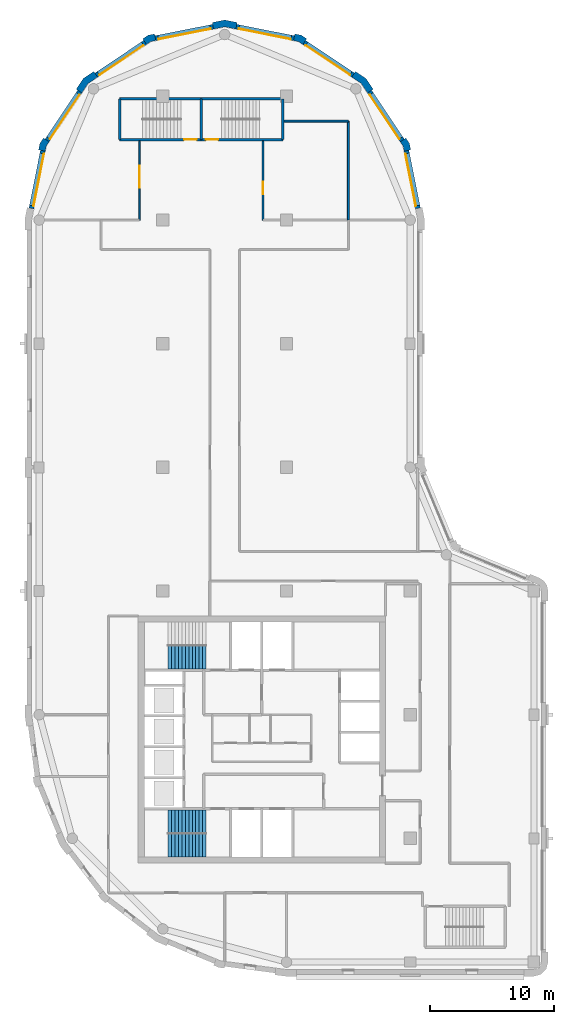
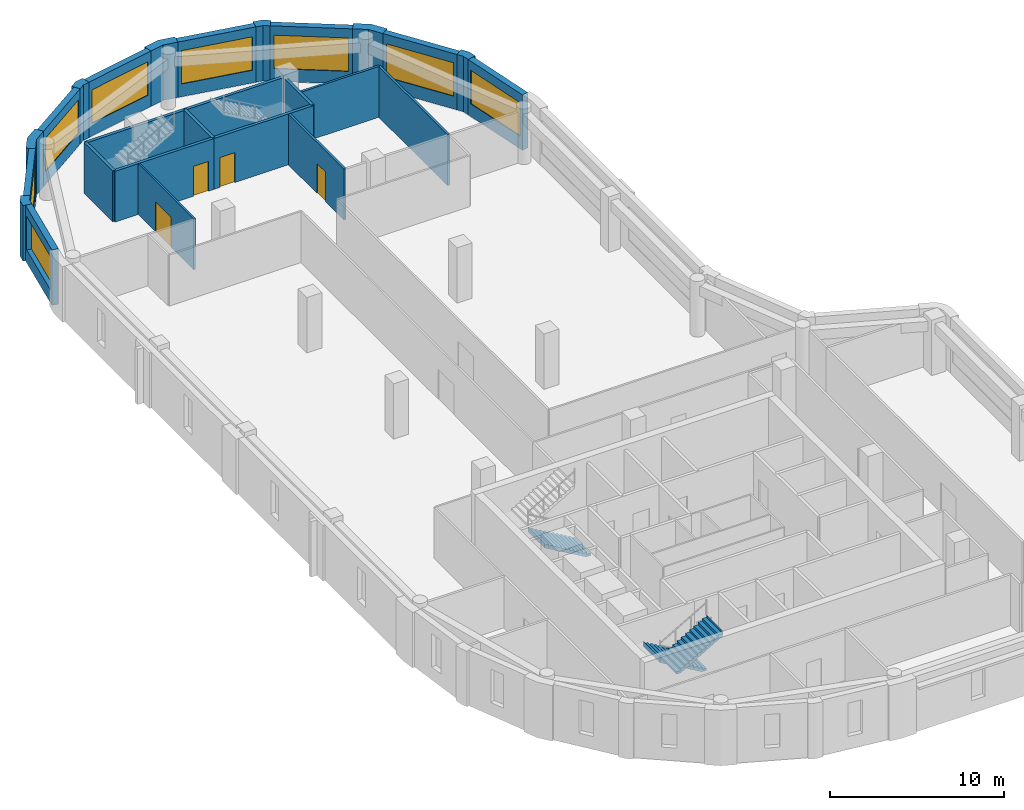
# One storey, part 5 of 8: 26 walls, 8 windows, 4 doors, 3 stair flights, 12 openings, 2 elements without a shape of their own.
"""IFC4 building model written with IfcOpenShell, lengths in metres."""

from ifc_helpers import new_model, si_unit, direction, frame, frame_2d, origin, place, context, subcontext, project, spatial, polyline, rectangle, outline, extrude, material, layer, layer_set, type_object, element, fill, aggregate, save


model = new_model("IFC4")

# Units and contexts
model_context = context("Model", 3, precision=1e-05, world=origin(), true_north=direction((0.0, 1.0)))
body_context = subcontext(model_context, "Body", "Model", "MODEL_VIEW")
ifc_project = project(units=[si_unit("LENGTHUNIT", "METRE"), si_unit("AREAUNIT", "SQUARE_METRE"), si_unit("VOLUMEUNIT", "CUBIC_METRE"), si_unit("PLANEANGLEUNIT", "RADIAN"), si_unit("MASSUNIT", "GRAM", prefix="KILO")], contexts=[model_context])

# Site, building, storey
site_placement = place(None, origin())
site = spatial("IfcSite", under=ifc_project, at=site_placement, CompositionType="ELEMENT")
building_placement = place(site_placement, origin())
building = spatial("IfcBuilding", under=site, at=building_placement, Name="Qaws Garden Tower", CompositionType="ELEMENT")
storey_placement = place(building_placement, frame((0.0, 0.0, 282.60009765625)))
storey = spatial("IfcBuildingStorey", under=building, at=storey_placement, Name="L68", CompositionType="ELEMENT", Elevation=282.60009765625)

# Wall, opening, window
ifc_material_1 = material(Name="Clay facing brick masonry", Category="masonry")
ifc_layer_1 = layer(ifc_material_1, 0.39990234375)
ifc_layer_set_1 = layer_set([ifc_layer_1], Name="Clay facing brick masonry")
wall_type_1 = type_object("IfcWallType", Name="Brick infill wall 400", PredefinedType="SOLIDWALL", material=ifc_layer_set_1)
wall_1_placement = place(storey_placement, frame((30.628662109375, 60.940673828125, 0.0), z_axis=(0.0, 0.0, 1.0), x_axis=(-0.195098533057, 0.98078364709, 0.0)))
wall_1 = element("IfcWall", 1, at=wall_1_placement, inside=storey, type_object=wall_type_1, Name="E-L68-infill-09", PredefinedType="SOLIDWALL", context=body_context, shape_type="SweptSolid", body=[
    extrude(rectangle(XDim=4.752685546875, YDim=0.39990234375, at=frame_2d((2.37646484375, 0.0))), origin(), (0.0, 0.0, 1.0), 3.89990234375),
])
opening_1_placement = place(wall_1_placement, frame((0.226318359375, 0.0, 0.89990234375)))
opening_1 = element("IfcOpeningElement", 2, at=opening_1_placement, cuts=wall_1, Name="Opening W06", PredefinedType="OPENING", context=body_context, shape_type="SweptSolid", body=[
    extrude(rectangle(XDim=4.300048828125, YDim=2.35009765625, at=frame_2d((2.14990234375, 1.175048828125))), frame((0.0, 0.2099609375, 0.0), z_axis=(0.0, -1.0, 0.0), x_axis=(1.0, 0.0, 0.0)), (0.0, 0.0, 1.0), 0.419921875),
])
ifc_material_2 = material(Name="Aluminium framed window, clear glazing", Category="aluminium")
window_type = type_object("IfcWindowType", Name="Ribbon window 4300 x 2350", PartitioningType="DOUBLE_PANEL_VERTICAL", PredefinedType="WINDOW", material=ifc_material_2)
window_1_placement = place(opening_1_placement, origin())
window_1 = element("IfcWindow", 3, at=window_1_placement, inside=storey, type_object=window_type, Name="E-L68-window-09-0", OverallHeight=2.35009765625, OverallWidth=4.300048828125, PartitioningType="SINGLE_PANEL", PredefinedType="WINDOW", context=body_context, shape_type="SweptSolid", body=[
    extrude(rectangle(XDim=4.300048828125, YDim=2.35009765625, at=frame_2d((2.14990234375, 1.175048828125))), frame((0.0, 0.159912109375, 0.0), z_axis=(0.0, -1.0, 0.0), x_axis=(1.0, 0.0, 0.0)), (0.0, 0.0, 1.0), 0.06005859375),
])
fill(opening_1, window_1)

wall_2_placement = place(storey_placement, frame((29.356689453125, 66.43408203125, 0.0), z_axis=(0.0, 0.0, 1.0), x_axis=(-0.555541552266, 0.831488775454, 0.0)))
wall_2 = element("IfcWall", 4, at=wall_2_placement, inside=storey, type_object=wall_type_1, Name="E-L68-infill-10", PredefinedType="SOLIDWALL", context=body_context, shape_type="SweptSolid", body=[
    extrude(rectangle(XDim=4.752685546875, YDim=0.39990234375, at=frame_2d((2.37646484375, 0.0))), origin(), (0.0, 0.0, 1.0), 3.89990234375),
])
opening_2_placement = place(wall_2_placement, frame((0.226318359375, 0.0, 0.89990234375)))
opening_2 = element("IfcOpeningElement", 5, at=opening_2_placement, cuts=wall_2, Name="Opening W06", PredefinedType="OPENING", context=body_context, shape_type="SweptSolid", body=[
    extrude(rectangle(XDim=4.300048828125, YDim=2.35009765625, at=frame_2d((2.14990234375, 1.175048828125))), frame((0.0, 0.2099609375, 0.0), z_axis=(0.0, -1.0, 0.0), x_axis=(1.0, 0.0, 0.0)), (0.0, 0.0, 1.0), 0.419921875),
])
window_2_placement = place(opening_2_placement, origin())
window_2 = element("IfcWindow", 6, at=window_2_placement, inside=storey, type_object=window_type, Name="E-L68-window-10-0", OverallHeight=2.35009765625, OverallWidth=4.300048828125, PartitioningType="SINGLE_PANEL", PredefinedType="WINDOW", context=body_context, shape_type="SweptSolid", body=[
    extrude(rectangle(XDim=4.300048828125, YDim=2.35009765625, at=frame_2d((2.14990234375, 1.175048828125))), frame((0.0, 0.159912109375, 0.0), z_axis=(0.0, -1.0, 0.0), x_axis=(1.0, 0.0, 0.0)), (0.0, 0.0, 1.0), 0.06005859375),
])
fill(opening_2, window_2)

wall_3_placement = place(storey_placement, frame((25.385986328125, 71.71630859375, 0.0), z_axis=(0.0, 0.0, 1.0), x_axis=(-0.831488775454, 0.555541552266, 0.0)))
wall_3 = element("IfcWall", 7, at=wall_3_placement, inside=storey, type_object=wall_type_1, Name="E-L68-infill-11", PredefinedType="SOLIDWALL", context=body_context, shape_type="SweptSolid", body=[
    extrude(rectangle(XDim=4.752685546875, YDim=0.39990234375, at=frame_2d((2.37646484375, 0.0))), origin(), (0.0, 0.0, 1.0), 3.89990234375),
])
opening_3_placement = place(wall_3_placement, frame((0.226318359375, 0.0, 0.89990234375)))
opening_3 = element("IfcOpeningElement", 8, at=opening_3_placement, cuts=wall_3, Name="Opening W06", PredefinedType="OPENING", context=body_context, shape_type="SweptSolid", body=[
    extrude(rectangle(XDim=4.300048828125, YDim=2.35009765625, at=frame_2d((2.14990234375, 1.175048828125))), frame((0.0, 0.2099609375, 0.0), z_axis=(0.0, -1.0, 0.0), x_axis=(1.0, 0.0, 0.0)), (0.0, 0.0, 1.0), 0.419921875),
])
window_3_placement = place(opening_3_placement, origin())
window_3 = element("IfcWindow", 9, at=window_3_placement, inside=storey, type_object=window_type, Name="E-L68-window-11-0", OverallHeight=2.35009765625, OverallWidth=4.300048828125, PartitioningType="SINGLE_PANEL", PredefinedType="WINDOW", context=body_context, shape_type="SweptSolid", body=[
    extrude(rectangle(XDim=4.300048828125, YDim=2.35009765625, at=frame_2d((2.14990234375, 1.175048828125))), frame((0.0, 0.159912109375, 0.0), z_axis=(0.0, -1.0, 0.0), x_axis=(1.0, 0.0, 0.0)), (0.0, 0.0, 1.0), 0.06005859375),
])
fill(opening_3, window_3)

wall_4_placement = place(storey_placement, frame((20.60205078125, 74.701416015625, 0.0), z_axis=(0.0, 0.0, 1.0), x_axis=(-0.98078364709, 0.195098533057, 0.0)))
wall_4 = element("IfcWall", 10, at=wall_4_placement, inside=storey, type_object=wall_type_1, Name="E-L68-infill-12", PredefinedType="SOLIDWALL", context=body_context, shape_type="SweptSolid", body=[
    extrude(rectangle(XDim=4.752685546875, YDim=0.39990234375, at=frame_2d((2.37646484375, 0.0))), origin(), (0.0, 0.0, 1.0), 3.89990234375),
])
opening_4_placement = place(wall_4_placement, frame((0.226318359375, 0.0, 0.89990234375)))
opening_4 = element("IfcOpeningElement", 11, at=opening_4_placement, cuts=wall_4, Name="Opening W06", PredefinedType="OPENING", context=body_context, shape_type="SweptSolid", body=[
    extrude(rectangle(XDim=4.300048828125, YDim=2.35009765625, at=frame_2d((2.14990234375, 1.175048828125))), frame((0.0, 0.2099609375, 0.0), z_axis=(0.0, -1.0, 0.0), x_axis=(1.0, 0.0, 0.0)), (0.0, 0.0, 1.0), 0.419921875),
])
window_4_placement = place(opening_4_placement, origin())
window_4 = element("IfcWindow", 12, at=window_4_placement, inside=storey, type_object=window_type, Name="E-L68-window-12-0", OverallHeight=2.35009765625, OverallWidth=4.300048828125, PartitioningType="SINGLE_PANEL", PredefinedType="WINDOW", context=body_context, shape_type="SweptSolid", body=[
    extrude(rectangle(XDim=4.300048828125, YDim=2.35009765625, at=frame_2d((2.14990234375, 1.175048828125))), frame((0.0, 0.159912109375, 0.0), z_axis=(0.0, -1.0, 0.0), x_axis=(1.0, 0.0, 0.0)), (0.0, 0.0, 1.0), 0.06005859375),
])
fill(opening_4, window_4)

wall_5_placement = place(storey_placement, frame((14.059326171875, 75.628662109375, 0.0), z_axis=(0.0, 0.0, 1.0), x_axis=(-0.98078364709, -0.195098533057, 0.0)))
wall_5 = element("IfcWall", 13, at=wall_5_placement, inside=storey, type_object=wall_type_1, Name="E-L68-infill-13", PredefinedType="SOLIDWALL", context=body_context, shape_type="SweptSolid", body=[
    extrude(rectangle(XDim=4.752685546875, YDim=0.39990234375, at=frame_2d((2.37646484375, 0.0))), origin(), (0.0, 0.0, 1.0), 3.89990234375),
])
opening_5_placement = place(wall_5_placement, frame((0.226318359375, 0.0, 0.89990234375)))
opening_5 = element("IfcOpeningElement", 14, at=opening_5_placement, cuts=wall_5, Name="Opening W06", PredefinedType="OPENING", context=body_context, shape_type="SweptSolid", body=[
    extrude(rectangle(XDim=4.300048828125, YDim=2.35009765625, at=frame_2d((2.14990234375, 1.175048828125))), frame((0.0, 0.2099609375, 0.0), z_axis=(0.0, -1.0, 0.0), x_axis=(1.0, 0.0, 0.0)), (0.0, 0.0, 1.0), 0.419921875),
])
window_5_placement = place(opening_5_placement, origin())
window_5 = element("IfcWindow", 15, at=window_5_placement, inside=storey, type_object=window_type, Name="E-L68-window-13-0", OverallHeight=2.35009765625, OverallWidth=4.300048828125, PartitioningType="SINGLE_PANEL", PredefinedType="WINDOW", context=body_context, shape_type="SweptSolid", body=[
    extrude(rectangle(XDim=4.300048828125, YDim=2.35009765625, at=frame_2d((2.14990234375, 1.175048828125))), frame((0.0, 0.159912109375, 0.0), z_axis=(0.0, -1.0, 0.0), x_axis=(1.0, 0.0, 0.0)), (0.0, 0.0, 1.0), 0.06005859375),
])
fill(opening_5, window_5)

wall_6_placement = place(storey_placement, frame((8.56591796875, 74.356689453125, 0.0), z_axis=(0.0, 0.0, 1.0), x_axis=(-0.831488775454, -0.555541552266, 0.0)))
wall_6 = element("IfcWall", 16, at=wall_6_placement, inside=storey, type_object=wall_type_1, Name="E-L68-infill-14", PredefinedType="SOLIDWALL", context=body_context, shape_type="SweptSolid", body=[
    extrude(rectangle(XDim=4.752685546875, YDim=0.39990234375, at=frame_2d((2.37646484375, 0.0))), origin(), (0.0, 0.0, 1.0), 3.89990234375),
])
opening_6_placement = place(wall_6_placement, frame((0.226318359375, 0.0, 0.89990234375)))
opening_6 = element("IfcOpeningElement", 17, at=opening_6_placement, cuts=wall_6, Name="Opening W06", PredefinedType="OPENING", context=body_context, shape_type="SweptSolid", body=[
    extrude(rectangle(XDim=4.300048828125, YDim=2.35009765625, at=frame_2d((2.14990234375, 1.175048828125))), frame((0.0, 0.2099609375, 0.0), z_axis=(0.0, -1.0, 0.0), x_axis=(1.0, 0.0, 0.0)), (0.0, 0.0, 1.0), 0.419921875),
])
window_6_placement = place(opening_6_placement, origin())
window_6 = element("IfcWindow", 18, at=window_6_placement, inside=storey, type_object=window_type, Name="E-L68-window-14-0", OverallHeight=2.35009765625, OverallWidth=4.300048828125, PartitioningType="SINGLE_PANEL", PredefinedType="WINDOW", context=body_context, shape_type="SweptSolid", body=[
    extrude(rectangle(XDim=4.300048828125, YDim=2.35009765625, at=frame_2d((2.14990234375, 1.175048828125))), frame((0.0, 0.159912109375, 0.0), z_axis=(0.0, -1.0, 0.0), x_axis=(1.0, 0.0, 0.0)), (0.0, 0.0, 1.0), 0.06005859375),
])
fill(opening_6, window_6)

wall_7_placement = place(storey_placement, frame((3.28369140625, 70.385986328125, 0.0), z_axis=(0.0, 0.0, 1.0), x_axis=(-0.555541552266, -0.831488775454, 0.0)))
wall_7 = element("IfcWall", 19, at=wall_7_placement, inside=storey, type_object=wall_type_1, Name="E-L68-infill-15", PredefinedType="SOLIDWALL", context=body_context, shape_type="SweptSolid", body=[
    extrude(rectangle(XDim=4.752685546875, YDim=0.39990234375, at=frame_2d((2.37646484375, 0.0))), origin(), (0.0, 0.0, 1.0), 3.89990234375),
])
opening_7_placement = place(wall_7_placement, frame((0.226318359375, 0.0, 0.89990234375)))
opening_7 = element("IfcOpeningElement", 20, at=opening_7_placement, cuts=wall_7, Name="Opening W06", PredefinedType="OPENING", context=body_context, shape_type="SweptSolid", body=[
    extrude(rectangle(XDim=4.300048828125, YDim=2.35009765625, at=frame_2d((2.14990234375, 1.175048828125))), frame((0.0, 0.2099609375, 0.0), z_axis=(0.0, -1.0, 0.0), x_axis=(1.0, 0.0, 0.0)), (0.0, 0.0, 1.0), 0.419921875),
])
window_7_placement = place(opening_7_placement, origin())
window_7 = element("IfcWindow", 21, at=window_7_placement, inside=storey, type_object=window_type, Name="E-L68-window-15-0", OverallHeight=2.35009765625, OverallWidth=4.300048828125, PartitioningType="SINGLE_PANEL", PredefinedType="WINDOW", context=body_context, shape_type="SweptSolid", body=[
    extrude(rectangle(XDim=4.300048828125, YDim=2.35009765625, at=frame_2d((2.14990234375, 1.175048828125))), frame((0.0, 0.159912109375, 0.0), z_axis=(0.0, -1.0, 0.0), x_axis=(1.0, 0.0, 0.0)), (0.0, 0.0, 1.0), 0.06005859375),
])
fill(opening_7, window_7)

wall_8_placement = place(storey_placement, frame((0.298583984375, 65.60205078125, 0.0), z_axis=(0.0, 0.0, 1.0), x_axis=(-0.195098533057, -0.98078364709, 0.0)))
wall_8 = element("IfcWall", 22, at=wall_8_placement, inside=storey, type_object=wall_type_1, Name="E-L68-infill-16", PredefinedType="SOLIDWALL", context=body_context, shape_type="SweptSolid", body=[
    extrude(rectangle(XDim=4.752685546875, YDim=0.39990234375, at=frame_2d((2.37646484375, 0.0))), origin(), (0.0, 0.0, 1.0), 3.89990234375),
])
opening_8_placement = place(wall_8_placement, frame((0.226318359375, 0.0, 0.89990234375)))
opening_8 = element("IfcOpeningElement", 23, at=opening_8_placement, cuts=wall_8, Name="Opening W06", PredefinedType="OPENING", context=body_context, shape_type="SweptSolid", body=[
    extrude(rectangle(XDim=4.300048828125, YDim=2.35009765625, at=frame_2d((2.14990234375, 1.175048828125))), frame((0.0, 0.2099609375, 0.0), z_axis=(0.0, -1.0, 0.0), x_axis=(1.0, 0.0, 0.0)), (0.0, 0.0, 1.0), 0.419921875),
])
window_8_placement = place(opening_8_placement, origin())
window_8 = element("IfcWindow", 24, at=window_8_placement, inside=storey, type_object=window_type, Name="E-L68-window-16-0", OverallHeight=2.35009765625, OverallWidth=4.300048828125, PartitioningType="SINGLE_PANEL", PredefinedType="WINDOW", context=body_context, shape_type="SweptSolid", body=[
    extrude(rectangle(XDim=4.300048828125, YDim=2.35009765625, at=frame_2d((2.14990234375, 1.175048828125))), frame((0.0, 0.159912109375, 0.0), z_axis=(0.0, -1.0, 0.0), x_axis=(1.0, 0.0, 0.0)), (0.0, 0.0, 1.0), 0.06005859375),
])
fill(opening_8, window_8)

# Walls
ifc_material_3 = material(Name="Clay facing brick masonry", Category="masonry")
ifc_layer_2 = layer(ifc_material_3, 0.550048828125)
ifc_layer_set_2 = layer_set([ifc_layer_2], Name="Clay facing brick masonry")
wall_type_2 = type_object("IfcWallType", Name="Brick kink pier 550 x 600", PredefinedType="SOLIDWALL", material=ifc_layer_set_2)
placement = place(storey_placement, origin())
element("IfcWall", 25, at=placement, inside=storey, type_object=wall_type_2, Name="E-L68-pier-10", PredefinedType="SOLIDWALL", context=body_context, shape_type="SweptSolid", body=[
    extrude(outline(polyline([(29.8974609375, 65.64111328125), (30.044677734375, 65.67041015625), (29.94140625, 66.18896484375), (29.647705078125, 66.628662109375), (29.52294921875, 66.545166015625), (29.1904296875, 66.322998046875), (29.42333984375, 65.974365234375), (29.505126953125, 65.56298828125), (29.8974609375, 65.64111328125)])), origin(), (0.0, 0.0, 1.0), 3.89990234375),
])
element("IfcWall", 26, at=placement, inside=storey, type_object=wall_type_2, Name="E-L68-pier-12", PredefinedType="SOLIDWALL", context=body_context, shape_type="SweptSolid", body=[
    extrude(outline(polyline([(21.545166015625, 74.52294921875), (21.628662109375, 74.647705078125), (21.18896484375, 74.94140625), (20.67041015625, 75.044677734375), (20.64111328125, 74.8974609375), (20.56298828125, 74.505126953125), (20.974365234375, 74.42333984375), (21.322998046875, 74.1904296875), (21.545166015625, 74.52294921875)])), origin(), (0.0, 0.0, 1.0), 3.89990234375),
])
element("IfcWall", 27, at=placement, inside=storey, type_object=wall_type_2, Name="E-L68-pier-14", PredefinedType="SOLIDWALL", context=body_context, shape_type="SweptSolid", body=[
    extrude(outline(polyline([(9.35888671875, 74.8974609375), (9.32958984375, 75.044677734375), (8.81103515625, 74.94140625), (8.371337890625, 74.647705078125), (8.454833984375, 74.52294921875), (8.677001953125, 74.1904296875), (9.025634765625, 74.42333984375), (9.43701171875, 74.505126953125), (9.35888671875, 74.8974609375)])), origin(), (0.0, 0.0, 1.0), 3.89990234375),
])
element("IfcWall", 28, at=placement, inside=storey, type_object=wall_type_2, Name="E-L68-pier-16", PredefinedType="SOLIDWALL", context=body_context, shape_type="SweptSolid", body=[
    extrude(outline(polyline([(0.47705078125, 66.545166015625), (0.352294921875, 66.628662109375), (0.05859375, 66.18896484375), (-0.044677734375, 65.67041015625), (0.1025390625, 65.64111328125), (0.494873046875, 65.56298828125), (0.57666015625, 65.974365234375), (0.8095703125, 66.322998046875), (0.47705078125, 66.545166015625)])), origin(), (0.0, 0.0, 1.0), 3.89990234375),
])
ifc_material_4 = material(Name="Clay facing brick masonry", Category="masonry")
ifc_layer_3 = layer(ifc_material_4, 0.550048828125)
ifc_layer_set_3 = layer_set([ifc_layer_3], Name="Clay facing brick masonry")
wall_type_3 = type_object("IfcWallType", Name="Brick pier 550 x 1600", PredefinedType="SOLIDWALL", material=ifc_layer_set_3)
element("IfcWall", 29, at=placement, inside=storey, type_object=wall_type_3, Name="E-L68-pier-11", PredefinedType="SOLIDWALL", context=body_context, shape_type="SweptSolid", body=[
    extrude(outline(polyline([(26.882568359375, 70.4970703125), (27.00732421875, 70.580322265625), (26.435791015625, 71.435791015625), (25.580322265625, 72.00732421875), (25.4970703125, 71.882568359375), (25.274658203125, 71.550048828125), (26.0390625, 71.0390625), (26.550048828125, 70.274658203125), (26.882568359375, 70.4970703125)])), origin(), (0.0, 0.0, 1.0), 3.89990234375),
])
element("IfcWall", 30, at=placement, inside=storey, type_object=wall_type_3, Name="E-L68-pier-13", PredefinedType="SOLIDWALL", context=body_context, shape_type="SweptSolid", body=[
    extrude(outline(polyline([(15.979736328125, 75.82470703125), (16.009033203125, 75.971923828125), (15.0, 76.172607421875), (13.990966796875, 75.971923828125), (14.020263671875, 75.82470703125), (14.098388671875, 75.432373046875), (15.0, 75.61181640625), (15.901611328125, 75.432373046875), (15.979736328125, 75.82470703125)])), origin(), (0.0, 0.0, 1.0), 3.89990234375),
])
element("IfcWall", 31, at=placement, inside=storey, type_object=wall_type_3, Name="E-L68-pier-15", PredefinedType="SOLIDWALL", context=body_context, shape_type="SweptSolid", body=[
    extrude(outline(polyline([(4.5029296875, 71.882568359375), (4.419677734375, 72.00732421875), (3.564208984375, 71.435791015625), (2.99267578125, 70.580322265625), (3.117431640625, 70.4970703125), (3.449951171875, 70.274658203125), (3.9609375, 71.0390625), (4.725341796875, 71.550048828125), (4.5029296875, 71.882568359375)])), origin(), (0.0, 0.0, 1.0), 3.89990234375),
])

# Wall, opening, door
ifc_material_5 = material(Name="Concrete C60", Category="concrete")
ifc_layer_4 = layer(ifc_material_5, 0.199951171875)
ifc_layer_set_4 = layer_set([ifc_layer_4], Name="Concrete C60")
wall_type_4 = type_object("IfcWallType", Name="Core shaft wall 200 C60", PredefinedType="SHEAR", material=ifc_layer_set_4)
wall_16_placement = place(storey_placement, frame((6.5, 66.5, 0.0), z_axis=(0.0, 0.0, 1.0), x_axis=(1.0, 0.0, 0.0)))
wall_16 = element("IfcWall", 32, at=wall_16_placement, inside=storey, type_object=wall_type_4, Name="Shaft wall", PredefinedType="SHEAR", context=body_context, shape_type="SweptSolid", body=[
    extrude(rectangle(XDim=6.60009765625, YDim=0.199951171875, at=frame_2d((3.300048828125, 0.0))), origin(), (0.0, 0.0, 1.0), 3.579833984375),
])
opening_9_placement = place(wall_16_placement, frame((5.22509765625, 0.0, 0.0)))
opening_9 = element("IfcOpeningElement", 33, at=opening_9_placement, cuts=wall_16, Name="Opening SD13", PredefinedType="OPENING", context=body_context, shape_type="SweptSolid", body=[
    extrude(rectangle(XDim=1.0, YDim=2.10009765625, at=frame_2d((0.5, 1.050048828125))), frame((0.0, 0.10986328125, 0.0), z_axis=(0.0, -1.0, 0.0), x_axis=(1.0, 0.0, 0.0)), (0.0, 0.0, 1.0), 0.219970703125),
])
ifc_material_6 = material(Name="Steel S235", Category="steel")
door_type_1 = type_object("IfcDoorType", Name="Stair door 1000x2100", OperationType="SINGLE_SWING_RIGHT", PredefinedType="DOOR", material=ifc_material_6)
door_1_placement = place(opening_9_placement, origin())
door_1 = element("IfcDoor", 34, at=door_1_placement, inside=storey, type_object=door_type_1, Name="Stair 6 door", OperationType="SINGLE_SWING_RIGHT", OverallHeight=2.10009765625, OverallWidth=1.0, PredefinedType="DOOR", context=body_context, shape_type="SweptSolid", body=[
    extrude(rectangle(XDim=1.0, YDim=2.10009765625, at=frame_2d((0.5, 1.050048828125))), frame((0.0, 0.02490234375, 0.0), z_axis=(0.0, -1.0, 0.0), x_axis=(1.0, 0.0, 0.0)), (0.0, 0.0, 1.0), 0.050048828125),
])
fill(opening_9, door_1)

wall_17_placement = place(storey_placement, frame((13.10009765625, 66.5, 0.0), z_axis=(0.0, 0.0, 1.0), x_axis=(1.0, 0.0, 0.0)))
wall_17 = element("IfcWall", 35, at=wall_17_placement, inside=storey, type_object=wall_type_4, Name="Shaft wall", PredefinedType="SHEAR", context=body_context, shape_type="SweptSolid", body=[
    extrude(rectangle(XDim=6.599853515625, YDim=0.199951171875, at=frame_2d((3.2998046875, 0.0))), origin(), (0.0, 0.0, 1.0), 3.579833984375),
])
opening_10_placement = place(wall_17_placement, frame((0.375, 0.0, 0.0)))
opening_10 = element("IfcOpeningElement", 36, at=opening_10_placement, cuts=wall_17, Name="Opening SD14", PredefinedType="OPENING", context=body_context, shape_type="SweptSolid", body=[
    extrude(rectangle(XDim=1.0, YDim=2.10009765625, at=frame_2d((0.5, 1.050048828125))), frame((0.0, 0.10986328125, 0.0), z_axis=(0.0, -1.0, 0.0), x_axis=(1.0, 0.0, 0.0)), (0.0, 0.0, 1.0), 0.219970703125),
])
door_2_placement = place(opening_10_placement, origin())
door_2 = element("IfcDoor", 37, at=door_2_placement, inside=storey, type_object=door_type_1, Name="Stair 7 door", OperationType="SINGLE_SWING_LEFT", OverallHeight=2.10009765625, OverallWidth=1.0, PredefinedType="DOOR", context=body_context, shape_type="SweptSolid", body=[
    extrude(rectangle(XDim=1.0, YDim=2.10009765625, at=frame_2d((0.5, 1.050048828125))), frame((0.0, 0.02490234375, 0.0), z_axis=(0.0, -1.0, 0.0), x_axis=(1.0, 0.0, 0.0)), (0.0, 0.0, 1.0), 0.050048828125),
])
fill(opening_10, door_2)

# Walls
wall_18_placement = place(storey_placement, frame((6.5, 69.800048828125, 0.0), z_axis=(0.0, 0.0, 1.0), x_axis=(1.0, 0.0, 0.0)))
element("IfcWall", 38, at=wall_18_placement, inside=storey, type_object=wall_type_4, Name="Shaft wall", PredefinedType="SHEAR", context=body_context, shape_type="SweptSolid", body=[
    extrude(rectangle(XDim=6.60009765625, YDim=0.199951171875, at=frame_2d((3.300048828125, 0.0))), origin(), (0.0, 0.0, 1.0), 3.579833984375),
])
wall_19_placement = place(storey_placement, frame((13.10009765625, 69.800048828125, 0.0), z_axis=(0.0, 0.0, 1.0), x_axis=(1.0, 0.0, 0.0)))
element("IfcWall", 39, at=wall_19_placement, inside=storey, type_object=wall_type_4, Name="Shaft wall", PredefinedType="SHEAR", context=body_context, shape_type="SweptSolid", body=[
    extrude(rectangle(XDim=6.599853515625, YDim=0.199951171875, at=frame_2d((3.2998046875, 0.0))), origin(), (0.0, 0.0, 1.0), 3.579833984375),
])
for number, where, z_axis, x_axis, name in (
    (40, (6.5, 66.5, 0.0), (0.0, 0.0, 1.0), (0.0, 1.0, 0.0), "Shaft wall"),
    (41, (13.10009765625, 66.5, 0.0), (0.0, 0.0, 1.0), (0.0, 1.0, 0.0), "Shaft wall"),
    (42, (19.699951171875, 66.5, 0.0), (0.0, 0.0, 1.0), (0.0, 1.0, 0.0), "Shaft wall"),
):
    element("IfcWall", number, at=place(storey_placement, frame(where, z_axis=z_axis, x_axis=x_axis)), inside=storey, type_object=wall_type_4, Name=name, PredefinedType="SHEAR", context=body_context, shape_type="SweptSolid", body=[
        extrude(rectangle(XDim=3.300048828125, YDim=0.199951171875, at=frame_2d((1.64990234375, 0.0))), origin(), (0.0, 0.0, 1.0), 3.579833984375),
    ])

# Wall, opening, door
ifc_material_7 = material(Name="Glass and aluminium framing", Category="aluminium")
ifc_layer_5 = layer(ifc_material_7, 0.1201171875)
ifc_layer_set_5 = layer_set([ifc_layer_5], Name="Glass and aluminium framing")
wall_type_5 = type_object("IfcWallType", Name="GLAZED PARTITION 120 EI 30", PredefinedType="PARTITIONING", material=ifc_layer_set_5)
wall_20_placement = place(storey_placement, frame((8.10009765625, 60.0, 0.0), z_axis=(0.0, 0.0, 1.0), x_axis=(0.0, 1.0, 0.0)))
wall_20 = element("IfcWall", 43, at=wall_20_placement, inside=storey, type_object=wall_type_5, Name="O-L68-wall-029", PredefinedType="PARTITIONING", context=body_context, shape_type="SweptSolid", body=[
    extrude(rectangle(XDim=6.39990234375, YDim=0.1201171875, at=frame_2d((3.199951171875, 0.0))), origin(), (0.0, 0.0, 1.0), 3.579833984375),
])
opening_11_placement = place(wall_20_placement, frame((2.60009765625, 0.0, 0.0)))
opening_11 = element("IfcOpeningElement", 44, at=opening_11_placement, cuts=wall_20, Name="Opening C4B13", PredefinedType="OPENING", context=body_context, shape_type="SweptSolid", body=[
    extrude(rectangle(XDim=1.800048828125, YDim=2.10009765625, at=frame_2d((0.89990234375, 1.050048828125))), frame((0.0, 0.070068359375, 0.0), z_axis=(0.0, -1.0, 0.0), x_axis=(1.0, 0.0, 0.0)), (0.0, 0.0, 1.0), 0.14013671875),
])
ifc_material_8 = material(Name="Timber door leaf", Category="wood")
door_type_2 = type_object("IfcDoorType", Name="DOUBLE DOOR 1800 X 2100", OperationType="DOUBLE_DOOR_SINGLE_SWING", PredefinedType="DOOR", material=ifc_material_8)
door_3_placement = place(opening_11_placement, origin())
door_3 = element("IfcDoor", 45, at=door_3_placement, inside=storey, type_object=door_type_2, Name="O-L68-door-013", OperationType="DOUBLE_DOOR_SINGLE_SWING", OverallHeight=2.10009765625, OverallWidth=1.800048828125, PredefinedType="DOOR", context=body_context, shape_type="SweptSolid", body=[
    extrude(rectangle(XDim=1.800048828125, YDim=2.10009765625, at=frame_2d((0.89990234375, 1.050048828125))), frame((0.0, 0.02490234375, 0.0), z_axis=(0.0, -1.0, 0.0), x_axis=(1.0, 0.0, 0.0)), (0.0, 0.0, 1.0), 0.050048828125),
])
fill(opening_11, door_3)

ifc_material_9 = material(Name="Gypsum board partition")
ifc_layer_6 = layer(ifc_material_9, 0.14990234375)
ifc_layer_set_6 = layer_set([ifc_layer_6], Name="Gypsum board partition")
wall_type_6 = type_object("IfcWallType", Name="PARTITION 150 EI 60", PredefinedType="PARTITIONING", material=ifc_layer_set_6)
wall_21_placement = place(storey_placement, frame((18.10009765625, 60.0, 0.0), z_axis=(0.0, 0.0, 1.0), x_axis=(0.0, 1.0, 0.0)))
wall_21 = element("IfcWall", 46, at=wall_21_placement, inside=storey, type_object=wall_type_6, Name="O-L68-wall-004", PredefinedType="PARTITIONING", context=body_context, shape_type="SweptSolid", body=[
    extrude(rectangle(XDim=6.39990234375, YDim=0.14990234375, at=frame_2d((3.199951171875, 0.0))), origin(), (0.0, 0.0, 1.0), 3.579833984375),
])
opening_12_placement = place(wall_21_placement, frame((2.10009765625, 0.0, 0.0)))
opening_12 = element("IfcOpeningElement", 47, at=opening_12_placement, cuts=wall_21, Name="Opening C4B03", PredefinedType="OPENING", context=body_context, shape_type="SweptSolid", body=[
    extrude(rectangle(XDim=1.0, YDim=2.10009765625, at=frame_2d((0.5, 1.050048828125))), frame((0.0, 0.0849609375, 0.0), z_axis=(0.0, -1.0, 0.0), x_axis=(1.0, 0.0, 0.0)), (0.0, 0.0, 1.0), 0.169921875),
])
ifc_material_10 = material(Name="Timber door leaf", Category="wood")
door_type_3 = type_object("IfcDoorType", Name="TENANCY ENTRANCE DOOR 1000 X 2100", OperationType="SINGLE_SWING_LEFT", PredefinedType="DOOR", material=ifc_material_10)
door_4_placement = place(opening_12_placement, frame((1.0, 0.0, 0.0), z_axis=(0.0, 0.0, 1.0), x_axis=(-1.0, 0.0, 0.0)))
door_4 = element("IfcDoor", 48, at=door_4_placement, inside=storey, type_object=door_type_3, Name="O-L68-door-003", OperationType="SINGLE_SWING_RIGHT", OverallHeight=2.10009765625, OverallWidth=1.0, PredefinedType="DOOR", context=body_context, shape_type="SweptSolid", body=[
    extrude(rectangle(XDim=1.0, YDim=2.10009765625, at=frame_2d((0.5, 1.050048828125))), frame((0.0, 0.02490234375, 0.0), z_axis=(0.0, -1.0, 0.0), x_axis=(1.0, 0.0, 0.0)), (0.0, 0.0, 1.0), 0.050048828125),
])
fill(opening_12, door_4)

# Walls
wall_22_placement = place(storey_placement, frame((25.0, 60.0, 0.0), z_axis=(0.0, 0.0, 1.0), x_axis=(0.0, 1.0, 0.0)))
element("IfcWall", 49, at=wall_22_placement, inside=storey, type_object=wall_type_6, Name="O-L68-wall-006", PredefinedType="PARTITIONING", context=body_context, shape_type="SweptSolid", body=[
    extrude(rectangle(XDim=8.0, YDim=0.14990234375, at=frame_2d((4.0, 0.0))), origin(), (0.0, 0.0, 1.0), 3.579833984375),
])
wall_23_placement = place(storey_placement, frame((19.800048828125, 68.0, 0.0), z_axis=(0.0, 0.0, 1.0), x_axis=(1.0, 0.0, 0.0)))
element("IfcWall", 50, at=wall_23_placement, inside=storey, type_object=wall_type_6, Name="O-L68-wall-026", PredefinedType="PARTITIONING", context=body_context, shape_type="SweptSolid", body=[
    extrude(rectangle(XDim=5.199951171875, YDim=0.14990234375, at=frame_2d((2.60009765625, 0.0))), origin(), (0.0, 0.0, 1.0), 3.579833984375),
])

# Stair, stair flights
ifc_material_11 = material(Name="Concrete C40", Category="concrete")
stair_type = type_object("IfcStairType", Name="Exit stair 1500", PredefinedType="HALF_TURN_STAIR", material=ifc_material_11)
stair_1 = element("IfcStair", 51, at=placement, inside=storey, type_object=stair_type, Name="Stair 1", PredefinedType="HALF_TURN_STAIR")
ifc_material_12 = material(Name="Concrete C40", Category="concrete")
stair_flight_type = type_object("IfcStairFlightType", Name="Stair flight 1500", PredefinedType="STRAIGHT", material=ifc_material_12)
stair_flight_1_placement = place(storey_placement, frame((13.5, 11.35009765625, 0.0), z_axis=(0.0, 0.0, 1.0), x_axis=(-1.0, 0.0, 0.0)))
stair_flight_1 = element("IfcStairFlight", 52, at=stair_flight_1_placement, type_object=stair_flight_type, Name="ST1 flight 1", NumberOfRisers=12, NumberOfTreads=11, PredefinedType="STRAIGHT", RiserHeight=0.1625, TreadLength=0.28, context=body_context, shape_type="SweptSolid", body=[
    extrude(outline(polyline([(-0.0029296875, 0.0), (-0.0029296875, 0.16259765625), (0.0, 0.16259765625), (0.280029296875, 0.16259765625), (0.280029296875, 0.324951171875), (0.56005859375, 0.324951171875), (0.56005859375, 0.487548828125), (0.840087890625, 0.487548828125), (0.840087890625, 0.64990234375), (1.1201171875, 0.64990234375), (1.1201171875, 0.8125), (1.39990234375, 0.8125), (1.39990234375, 0.97509765625), (1.679931640625, 0.97509765625), (1.679931640625, 1.137451171875), (1.9599609375, 1.137451171875), (1.9599609375, 1.300048828125), (2.239990234375, 1.300048828125), (2.239990234375, 1.46240234375), (2.52001953125, 1.46240234375), (2.52001953125, 1.625), (2.800048828125, 1.625), (2.800048828125, 1.78759765625), (3.080078125, 1.78759765625), (3.080078125, 1.949951171875), (3.0830078125, 1.949951171875), (3.0830078125, 1.6142578125), (3.080078125, 1.6142578125), (0.298583984375, 0.0), (-0.0029296875, 0.0)])), frame((0.0, 0.949951171875, 0.0), z_axis=(0.0, -1.0, 0.0), x_axis=(1.0, 0.0, 0.0)), (0.0, 0.0, 1.0), 1.89990234375),
])
stair_flight_2_placement = place(storey_placement, frame((10.419921875, 9.449951171875, 1.949951171875), z_axis=(0.0, 0.0, 1.0), x_axis=(1.0, 0.0, 0.0)))
stair_flight_2 = element("IfcStairFlight", 53, at=stair_flight_2_placement, type_object=stair_flight_type, Name="ST1 flight 2", NumberOfRisers=12, NumberOfTreads=11, PredefinedType="STRAIGHT", RiserHeight=0.1625, TreadLength=0.28, context=body_context, shape_type="SweptSolid", body=[
    extrude(outline(polyline([(-0.0029296875, 0.0), (-0.0029296875, 0.16259765625), (0.0, 0.16259765625), (0.280029296875, 0.16259765625), (0.280029296875, 0.324951171875), (0.56005859375, 0.324951171875), (0.56005859375, 0.487548828125), (0.840087890625, 0.487548828125), (0.840087890625, 0.64990234375), (1.1201171875, 0.64990234375), (1.1201171875, 0.8125), (1.39990234375, 0.8125), (1.39990234375, 0.97509765625), (1.679931640625, 0.97509765625), (1.679931640625, 1.137451171875), (1.9599609375, 1.137451171875), (1.9599609375, 1.300048828125), (2.239990234375, 1.300048828125), (2.239990234375, 1.46240234375), (2.52001953125, 1.46240234375), (2.52001953125, 1.625), (2.800048828125, 1.625), (2.800048828125, 1.78759765625), (3.080078125, 1.78759765625), (3.080078125, 1.949951171875), (3.0830078125, 1.949951171875), (3.0830078125, 1.6142578125), (3.080078125, 1.6142578125), (0.298583984375, 0.0), (-0.0029296875, 0.0)])), frame((0.0, 0.949951171875, 0.0), z_axis=(0.0, -1.0, 0.0), x_axis=(1.0, 0.0, 0.0)), (0.0, 0.0, 1.0), 1.89990234375),
])
aggregate(stair_1, [stair_flight_1, stair_flight_2])

# Stair, stair flight
stair_2 = element("IfcStair", 54, at=placement, inside=storey, type_object=stair_type, Name="Stair 4", PredefinedType="HALF_TURN_STAIR")
stair_flight_3_placement = place(storey_placement, frame((13.5, 24.64990234375, 0.0), z_axis=(0.0, 0.0, 1.0), x_axis=(-1.0, 0.0, 0.0)))
stair_flight_3 = element("IfcStairFlight", 55, at=stair_flight_3_placement, type_object=stair_flight_type, Name="ST4 flight 1", NumberOfRisers=12, NumberOfTreads=11, PredefinedType="STRAIGHT", RiserHeight=0.1625, TreadLength=0.28, context=body_context, shape_type="SweptSolid", body=[
    extrude(outline(polyline([(-0.0029296875, 0.0), (-0.0029296875, 0.16259765625), (0.0, 0.16259765625), (0.280029296875, 0.16259765625), (0.280029296875, 0.324951171875), (0.56005859375, 0.324951171875), (0.56005859375, 0.487548828125), (0.840087890625, 0.487548828125), (0.840087890625, 0.64990234375), (1.1201171875, 0.64990234375), (1.1201171875, 0.8125), (1.39990234375, 0.8125), (1.39990234375, 0.97509765625), (1.679931640625, 0.97509765625), (1.679931640625, 1.137451171875), (1.9599609375, 1.137451171875), (1.9599609375, 1.300048828125), (2.239990234375, 1.300048828125), (2.239990234375, 1.46240234375), (2.52001953125, 1.46240234375), (2.52001953125, 1.625), (2.800048828125, 1.625), (2.800048828125, 1.78759765625), (3.080078125, 1.78759765625), (3.080078125, 1.949951171875), (3.0830078125, 1.949951171875), (3.0830078125, 1.6142578125), (3.080078125, 1.6142578125), (0.298583984375, 0.0), (-0.0029296875, 0.0)])), frame((0.0, 0.94482421875, 0.0), z_axis=(0.0, -1.0, 0.0), x_axis=(1.0, 0.0, 0.0)), (0.0, 0.0, 1.0), 1.889892578125),
])
aggregate(stair_2, [stair_flight_3])

save(model, "model.ifc")
